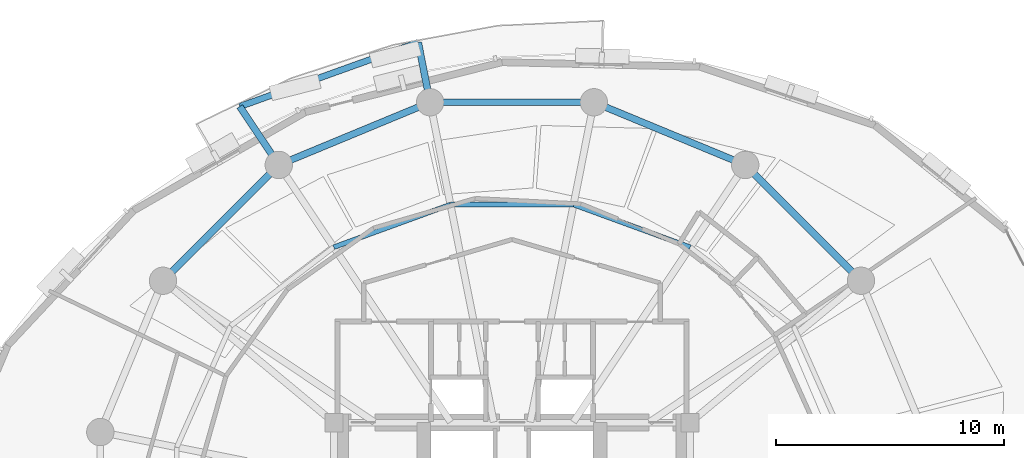
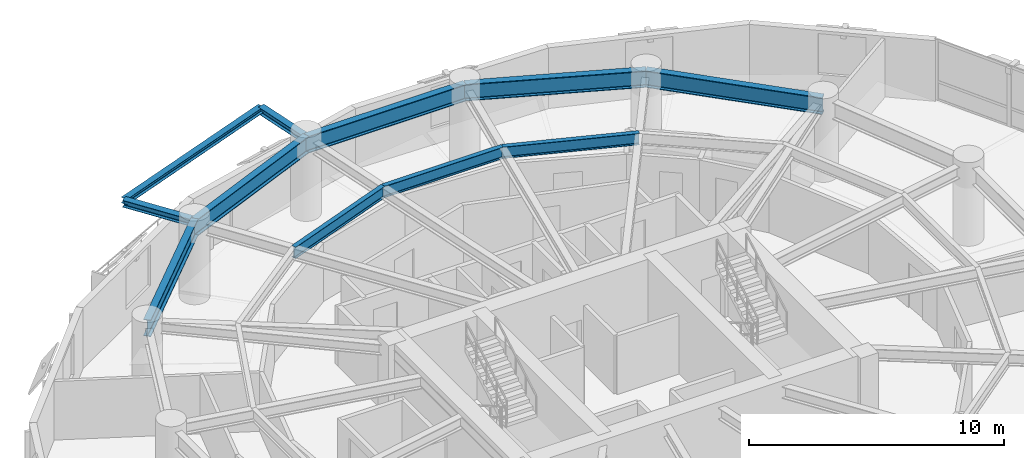
# One storey, part 7 of 15: 11 beams.
"""IFC4 building model written with IfcOpenShell, lengths in metres."""

from ifc_helpers import new_model, si_unit, direction, frame, origin, origin_2d, place, context, subcontext, project, spatial, i_section, extrude, material, material_profile, profile_set, type_object, element, save


model = new_model("IFC4")

# Units and contexts
model_context = context("Model", 3, precision=1e-05, world=origin(), true_north=direction((0.0, 1.0)))
body_context = subcontext(model_context, "Body", "Model", "MODEL_VIEW")
ifc_project = project(units=[si_unit("LENGTHUNIT", "METRE"), si_unit("AREAUNIT", "SQUARE_METRE"), si_unit("VOLUMEUNIT", "CUBIC_METRE"), si_unit("PLANEANGLEUNIT", "RADIAN"), si_unit("MASSUNIT", "GRAM", prefix="KILO"), si_unit("THERMODYNAMICTEMPERATUREUNIT", "KELVIN"), si_unit("POWERUNIT", "WATT")], contexts=[model_context])

# Site, building, storey
site_placement = place(None, origin())
site = spatial("IfcSite", under=ifc_project, at=site_placement, CompositionType="ELEMENT")
building_placement = place(site_placement, origin())
building = spatial("IfcBuilding", under=site, at=building_placement, Name="Ocrelia Relay Tower", CompositionType="ELEMENT")
storey_placement = place(building_placement, frame((0.0, 0.0, 93.800048828125)))
storey = spatial("IfcBuildingStorey", under=building, at=storey_placement, Name="L21", CompositionType="ELEMENT", Elevation=93.800048828125)

# Beams
ifc_material = material(Name="Steel S355", Category="steel")
ifc_material_profile_1 = material_profile(ifc_material, i_section(OverallWidth=0.280029296875, OverallDepth=0.27001953125, WebThickness=0.008056640625, FlangeThickness=0.012939453125, FilletRadius=0.02392578125, at=origin_2d()), Name="HEA 280")
ifc_profile_set_1 = profile_set([ifc_material_profile_1], Name="Steel S355")
beam_type_1 = type_object("IfcBeamType", Name="BM-HEA280", PredefinedType="BEAM", material=ifc_profile_set_1)
beam_1_placement = place(storey_placement, frame((29.88818359375, 46.670654296875, 3.5849609375), z_axis=(-0.941068142585, -0.338217017627, 0.0), x_axis=(0.338217017627, -0.941068142585, 0.0)))
element("IfcBeam", 1, at=beam_1_placement, inside=storey, type_object=beam_type_1, Name="L22 Balcony Edge Trimmer Beam B1", PredefinedType="BEAM", context=body_context, shape_type="SweptSolid", body=[
    extrude(i_section(OverallWidth=0.280029296875, OverallDepth=0.27001953125, WebThickness=0.008056640625, FlangeThickness=0.012939453125, FilletRadius=0.02392578125, at=origin_2d()), origin(), (0.0, 0.0, 1.0), 8.311279296875),
])
ifc_material_profile_2 = material_profile(ifc_material, i_section(OverallWidth=0.300048828125, OverallDepth=0.330078125, WebThickness=0.009521484375, FlangeThickness=0.0166015625, FilletRadius=0.027099609375, at=origin_2d()), Name="HEA 340")
ifc_profile_set_2 = profile_set([ifc_material_profile_2], Name="Steel S355")
beam_type_2 = type_object("IfcBeamType", Name="BM-HEA340", PredefinedType="BEAM", material=ifc_profile_set_2)
beam_2_placement = place(storey_placement, frame((30.410400390625, 44.04638671875, 3.554931640625), z_axis=(-0.19516852136, 0.980769722346, 0.0), x_axis=(-0.980769722346, -0.19516852136, 0.0)))
element("IfcBeam", 2, at=beam_2_placement, inside=storey, type_object=beam_type_2, Name="L22 Balcony Cantilever Beam B1-1", PredefinedType="BEAM", context=body_context, shape_type="SweptSolid", body=[
    extrude(i_section(OverallWidth=0.300048828125, OverallDepth=0.330078125, WebThickness=0.009521484375, FlangeThickness=0.0166015625, FilletRadius=0.027099609375, at=origin_2d()), origin(), (0.0, 0.0, 1.0), 2.67578125),
])
beam_3_placement = place(storey_placement, frame((23.777587890625, 41.299072265625, 3.554931640625), z_axis=(-0.555578040144, 0.831464395696, 0.0), x_axis=(-0.831464395696, -0.555578040144, 0.0)))
element("IfcBeam", 3, at=beam_3_placement, inside=storey, type_object=beam_type_2, Name="L22 Balcony Cantilever Beam B1-2", PredefinedType="BEAM", context=body_context, shape_type="SweptSolid", body=[
    extrude(i_section(OverallWidth=0.300048828125, OverallDepth=0.330078125, WebThickness=0.009521484375, FlangeThickness=0.0166015625, FilletRadius=0.027099609375, at=origin_2d()), origin(), (0.0, 0.0, 1.0), 3.07958984375),
])
ifc_material_profile_3 = material_profile(ifc_material, i_section(OverallWidth=0.300048828125, OverallDepth=0.800048828125, WebThickness=0.017578125, FlangeThickness=0.032958984375, FilletRadius=0.030029296875, at=origin_2d()), Name="HEB 800")
ifc_profile_set_3 = profile_set([ifc_material_profile_3], Name="Steel S355")
beam_type_3 = type_object("IfcBeamType", Name="BM-HEB800", PredefinedType="BEAM", material=ifc_profile_set_3)
beam_4_placement = place(storey_placement, frame((49.299072265625, 36.222412109375, 3.320068359375), z_axis=(-0.707106781187, 0.707106781187, 0.0), x_axis=(-0.707106781187, -0.707106781187, 0.0)))
element("IfcBeam", 4, at=beam_4_placement, inside=storey, type_object=beam_type_3, Name="L21 Perimeter Spandrel Beam S02", PredefinedType="BEAM", context=body_context, shape_type="SweptSolid", body=[
    extrude(i_section(OverallWidth=0.300048828125, OverallDepth=0.800048828125, WebThickness=0.017578125, FlangeThickness=0.032958984375, FilletRadius=0.030029296875, at=origin_2d()), origin(), (0.0, 0.0, 1.0), 7.179443359375),
])
for number, where, z_axis, x_axis, name in (
    (5, (44.222412109375, 41.299072265625, 3.320068359375), (-0.923883789366, 0.382673155247, 0.0), (-0.382673155247, -0.923883789366, 0.0), "L21 Perimeter Spandrel Beam S03"),
    (6, (37.589599609375, 44.04638671875, 3.320068359375), (-1.0, 0.0, 0.0), (0.0, -1.0, 0.0), "L21 Perimeter Spandrel Beam S04"),
    (7, (30.410400390625, 44.04638671875, 3.320068359375), (-0.923883789366, -0.382673155247, 0.0), (0.382673155247, -0.923883789366, 0.0), "L21 Perimeter Spandrel Beam S05"),
):
    element("IfcBeam", number, at=place(storey_placement, frame(where, z_axis=z_axis, x_axis=x_axis)), inside=storey, type_object=beam_type_3, Name=name, PredefinedType="BEAM", context=body_context, shape_type="SweptSolid", body=[
        extrude(i_section(OverallWidth=0.300048828125, OverallDepth=0.800048828125, WebThickness=0.017578125, FlangeThickness=0.032958984375, FilletRadius=0.030029296875, at=origin_2d()), origin(), (0.0, 0.0, 1.0), 7.17919921875),
    ])
beam_5_placement = place(storey_placement, frame((23.777587890625, 41.299072265625, 3.320068359375), z_axis=(-0.707106781187, -0.707106781187, 0.0), x_axis=(0.707106781187, -0.707106781187, 0.0)))
element("IfcBeam", 8, at=beam_5_placement, inside=storey, type_object=beam_type_3, Name="L21 Perimeter Spandrel Beam S06", PredefinedType="BEAM", context=body_context, shape_type="SweptSolid", body=[
    extrude(i_section(OverallWidth=0.300048828125, OverallDepth=0.800048828125, WebThickness=0.017578125, FlangeThickness=0.032958984375, FilletRadius=0.030029296875, at=origin_2d()), origin(), (0.0, 0.0, 1.0), 7.179443359375),
])
ifc_material_profile_4 = material_profile(ifc_material, i_section(OverallWidth=0.2099609375, OverallDepth=0.550048828125, WebThickness=0.010986328125, FlangeThickness=0.01708984375, FilletRadius=0.02392578125, at=origin_2d()), Name="IPE 550")
ifc_profile_set_4 = profile_set([ifc_material_profile_4], Name="Steel S355")
beam_type_4 = type_object("IfcBeamType", Name="BM-IPE550", PredefinedType="JOIST", material=ifc_profile_set_4)
beam_6_placement = place(storey_placement, frame((41.81298828125, 37.69287109375, 3.445068359375), z_axis=(-0.93930687927, 0.34307810562, 0.0), x_axis=(-0.34307810562, -0.93930687927, 0.0)))
element("IfcBeam", 9, at=beam_6_placement, inside=storey, type_object=beam_type_4, Name="L21 Secondary Floor Joist J03", PredefinedType="JOIST", context=body_context, shape_type="SweptSolid", body=[
    extrude(i_section(OverallWidth=0.2099609375, OverallDepth=0.550048828125, WebThickness=0.010986328125, FlangeThickness=0.01708984375, FilletRadius=0.02392578125, at=origin_2d()), origin(), (0.0, 0.0, 1.0), 5.446044921875),
])
beam_7_placement = place(storey_placement, frame((36.697509765625, 39.561279296875, 3.445068359375), z_axis=(-1.0, 0.0, 0.0), x_axis=(0.0, -1.0, 0.0)))
element("IfcBeam", 10, at=beam_7_placement, inside=storey, type_object=beam_type_4, Name="L21 Secondary Floor Joist J04", PredefinedType="JOIST", context=body_context, shape_type="SweptSolid", body=[
    extrude(i_section(OverallWidth=0.2099609375, OverallDepth=0.550048828125, WebThickness=0.010986328125, FlangeThickness=0.01708984375, FilletRadius=0.02392578125, at=origin_2d()), origin(), (0.0, 0.0, 1.0), 5.39501953125),
])
beam_8_placement = place(storey_placement, frame((31.302490234375, 39.561279296875, 3.445068359375), z_axis=(-0.93930687927, -0.34307810562, 0.0), x_axis=(0.34307810562, -0.93930687927, 0.0)))
element("IfcBeam", 11, at=beam_8_placement, inside=storey, type_object=beam_type_4, Name="L21 Secondary Floor Joist J05", PredefinedType="JOIST", context=body_context, shape_type="SweptSolid", body=[
    extrude(i_section(OverallWidth=0.2099609375, OverallDepth=0.550048828125, WebThickness=0.010986328125, FlangeThickness=0.01708984375, FilletRadius=0.02392578125, at=origin_2d()), origin(), (0.0, 0.0, 1.0), 5.446044921875),
])

save(model, "model.ifc")
